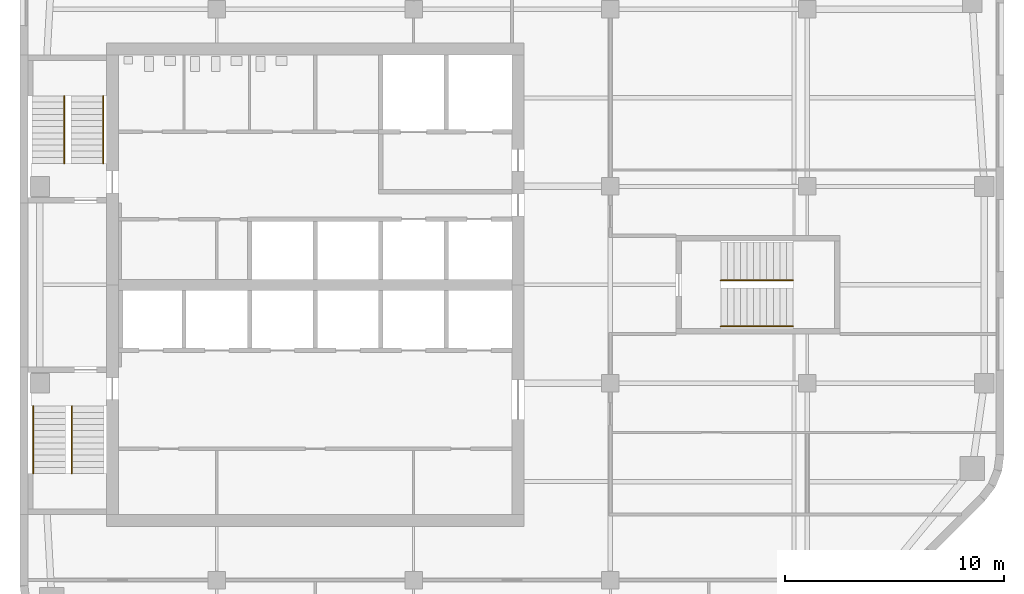
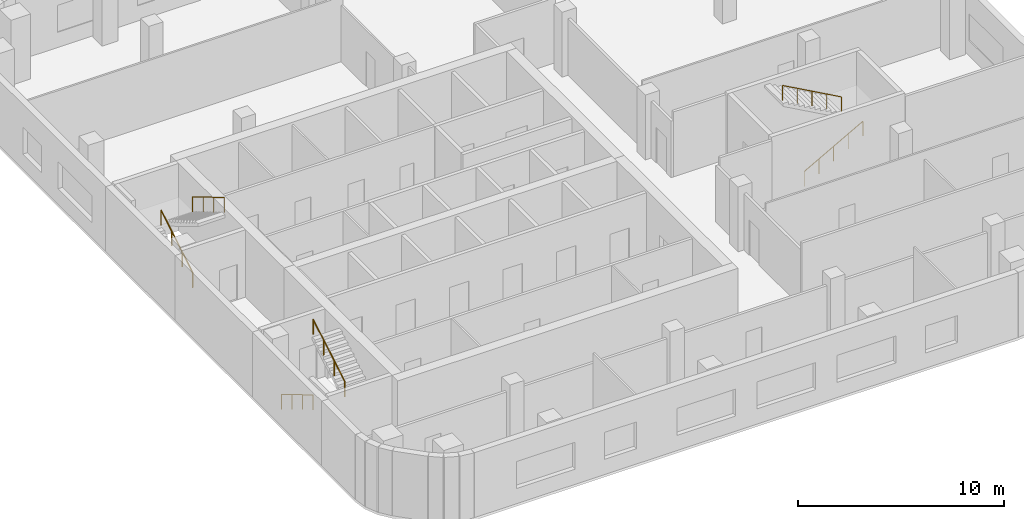
# One storey, part 6 of 7: 6 railings, 3 elements without a shape of their own.
"""IFC4 building model written with IfcOpenShell, lengths in metres."""

from ifc_helpers import new_model, si_unit, direction, frame, origin, origin_2d, place, context, subcontext, project, spatial, circle, extrude, material, type_object, element, aggregate, save


model = new_model("IFC4")

# Units and contexts
model_context = context("Model", 3, precision=1e-05, world=origin(), true_north=direction((0.0, 1.0)))
body_context = subcontext(model_context, "Body", "Model", "MODEL_VIEW")
ifc_project = project(units=[si_unit("LENGTHUNIT", "METRE"), si_unit("AREAUNIT", "SQUARE_METRE"), si_unit("VOLUMEUNIT", "CUBIC_METRE"), si_unit("PLANEANGLEUNIT", "RADIAN"), si_unit("MASSUNIT", "GRAM", prefix="KILO")], contexts=[model_context])

# Site, building, storey
site_placement = place(None, origin())
site = spatial("IfcSite", under=ifc_project, at=site_placement, CompositionType="ELEMENT")
building_placement = place(site_placement, origin())
building = spatial("IfcBuilding", under=site, at=building_placement, Name="Cinnabar Reach Civic Tower", CompositionType="ELEMENT")
storey_placement = place(building_placement, frame((0.0, 0.0, 214.0)))
storey = spatial("IfcBuildingStorey", under=building, at=storey_placement, Name="L51", CompositionType="ELEMENT", Elevation=214.0)

# Stair, railings
ifc_material_1 = material(Name="Concrete C40/50", Category="concrete")
stair_type = type_object("IfcStairType", Name="T1 Exit stair, half-turn", PredefinedType="HALF_TURN_STAIR", material=ifc_material_1)
stair_1_placement = place(storey_placement, origin())
stair_1 = element("IfcStair", 1, at=stair_1_placement, inside=storey, type_object=stair_type, Name="Stair T1-S1", PredefinedType="HALF_TURN_STAIR")
ifc_material_2 = material(Name="Stainless steel tube", Category="steel")
railing_type = type_object("IfcRailingType", Name="T1 Stair handrail, stainless tube 48", PredefinedType="HANDRAIL", material=ifc_material_2)
railing_1_placement = place(storey_placement, frame((0.6, 25.95, 0.1667)))
railing_1 = element("IfcRailing", 2, at=railing_1_placement, type_object=railing_type, Name="T1-S1 handrail 1", PredefinedType="HANDRAIL", context=body_context, shape_type="SweptSolid", body=[
    extrude(circle(Radius=0.024, at=origin_2d()), frame((0.0, 0.0, 0.876), z_axis=(0.0, -0.859296971757, 0.511476992962), x_axis=(1.0, 0.0, 0.0)), (0.0, 0.0, 1.0), 3.5843),
    extrude(circle(Radius=0.021, at=origin_2d()), origin(), (0.0, 0.0, 1.0), 0.852),
    extrude(circle(Radius=0.021, at=origin_2d()), frame((0.0, -1.0267, 0.6111)), (0.0, 0.0, 1.0), 0.852),
    extrude(circle(Radius=0.021, at=origin_2d()), frame((0.0, -2.0533, 1.2222)), (0.0, 0.0, 1.0), 0.852),
    extrude(circle(Radius=0.021, at=origin_2d()), frame((0.0, -3.08, 1.8333)), (0.0, 0.0, 1.0), 0.852),
])
railing_2_placement = place(storey_placement, frame((2.375, 22.87, 2.1667)))
railing_2 = element("IfcRailing", 3, at=railing_2_placement, type_object=railing_type, Name="T1-S1 handrail 2", PredefinedType="HANDRAIL", context=body_context, shape_type="SweptSolid", body=[
    extrude(circle(Radius=0.024, at=origin_2d()), frame((0.0, 0.0, 0.876), z_axis=(0.0, 0.859296971757, 0.511476992962), x_axis=(-1.0, 0.0, 0.0)), (0.0, 0.0, 1.0), 3.5843),
    extrude(circle(Radius=0.021, at=origin_2d()), origin(), (0.0, 0.0, 1.0), 0.852),
    extrude(circle(Radius=0.021, at=origin_2d()), frame((0.0, 1.0267, 0.6111)), (0.0, 0.0, 1.0), 0.852),
    extrude(circle(Radius=0.021, at=origin_2d()), frame((0.0, 2.0533, 1.2222)), (0.0, 0.0, 1.0), 0.852),
    extrude(circle(Radius=0.021, at=origin_2d()), frame((0.0, 3.08, 1.8333)), (0.0, 0.0, 1.0), 0.852),
])
aggregate(stair_1, [railing_1, railing_2])

stair_2_placement = place(storey_placement, origin())
stair_2 = element("IfcStair", 4, at=stair_2_placement, inside=storey, type_object=stair_type, Name="Stair T1-S2", PredefinedType="HALF_TURN_STAIR")
railing_3_placement = place(storey_placement, frame((2.025, 37.05, 0.1667)))
railing_3 = element("IfcRailing", 5, at=railing_3_placement, type_object=railing_type, Name="T1-S2 handrail 1", PredefinedType="HANDRAIL", context=body_context, shape_type="SweptSolid", body=[
    extrude(circle(Radius=0.024, at=origin_2d()), frame((0.0, 0.0, 0.876), z_axis=(0.0, 0.859296971757, 0.511476992962), x_axis=(-1.0, 0.0, 0.0)), (0.0, 0.0, 1.0), 3.5843),
    extrude(circle(Radius=0.021, at=origin_2d()), origin(), (0.0, 0.0, 1.0), 0.852),
    extrude(circle(Radius=0.021, at=origin_2d()), frame((0.0, 1.0267, 0.6111)), (0.0, 0.0, 1.0), 0.852),
    extrude(circle(Radius=0.021, at=origin_2d()), frame((0.0, 2.0533, 1.2222)), (0.0, 0.0, 1.0), 0.852),
    extrude(circle(Radius=0.021, at=origin_2d()), frame((0.0, 3.08, 1.8333)), (0.0, 0.0, 1.0), 0.852),
])
railing_4_placement = place(storey_placement, frame((3.8, 40.13, 2.1667)))
railing_4 = element("IfcRailing", 6, at=railing_4_placement, type_object=railing_type, Name="T1-S2 handrail 2", PredefinedType="HANDRAIL", context=body_context, shape_type="SweptSolid", body=[
    extrude(circle(Radius=0.024, at=origin_2d()), frame((0.0, 0.0, 0.876), z_axis=(0.0, -0.859296971757, 0.511476992962), x_axis=(1.0, 0.0, 0.0)), (0.0, 0.0, 1.0), 3.5843),
    extrude(circle(Radius=0.021, at=origin_2d()), origin(), (0.0, 0.0, 1.0), 0.852),
    extrude(circle(Radius=0.021, at=origin_2d()), frame((0.0, -1.0267, 0.6111)), (0.0, 0.0, 1.0), 0.852),
    extrude(circle(Radius=0.021, at=origin_2d()), frame((0.0, -2.0533, 1.2222)), (0.0, 0.0, 1.0), 0.852),
    extrude(circle(Radius=0.021, at=origin_2d()), frame((0.0, -3.08, 1.8333)), (0.0, 0.0, 1.0), 0.852),
])
aggregate(stair_2, [railing_3, railing_4])

stair_3_placement = place(storey_placement, origin())
stair_3 = element("IfcStair", 7, at=stair_3_placement, inside=storey, type_object=stair_type, Name="Stair T1-S3", PredefinedType="HALF_TURN_STAIR")
railing_5_placement = place(storey_placement, frame((32.05, 29.6, 0.1667)))
railing_5 = element("IfcRailing", 8, at=railing_5_placement, type_object=railing_type, Name="T1-S3 handrail 1", PredefinedType="HANDRAIL", context=body_context, shape_type="SweptSolid", body=[
    extrude(circle(Radius=0.024, at=origin_2d()), frame((0.0, 0.0, 0.876), z_axis=(0.874161024642, 0.0, 0.485636183781), x_axis=(0.0, 1.0, 0.0)), (0.0, 0.0, 1.0), 3.775),
    extrude(circle(Radius=0.021, at=origin_2d()), origin(), (0.0, 0.0, 1.0), 0.852),
    extrude(circle(Radius=0.021, at=origin_2d()), frame((0.825, 0.0, 0.4583)), (0.0, 0.0, 1.0), 0.852),
    extrude(circle(Radius=0.021, at=origin_2d()), frame((1.65, 0.0, 0.9167)), (0.0, 0.0, 1.0), 0.852),
    extrude(circle(Radius=0.021, at=origin_2d()), frame((2.475, 0.0, 1.375)), (0.0, 0.0, 1.0), 0.852),
    extrude(circle(Radius=0.021, at=origin_2d()), frame((3.3, 0.0, 1.8333)), (0.0, 0.0, 1.0), 0.852),
])
railing_6_placement = place(storey_placement, frame((35.35, 31.7, 2.1667)))
railing_6 = element("IfcRailing", 9, at=railing_6_placement, type_object=railing_type, Name="T1-S3 handrail 2", PredefinedType="HANDRAIL", context=body_context, shape_type="SweptSolid", body=[
    extrude(circle(Radius=0.024, at=origin_2d()), frame((0.0, 0.0, 0.876), z_axis=(-0.874161024642, 0.0, 0.485636183781), x_axis=(0.0, -1.0, 0.0)), (0.0, 0.0, 1.0), 3.775),
    extrude(circle(Radius=0.021, at=origin_2d()), origin(), (0.0, 0.0, 1.0), 0.852),
    extrude(circle(Radius=0.021, at=origin_2d()), frame((-0.825, 0.0, 0.4583)), (0.0, 0.0, 1.0), 0.852),
    extrude(circle(Radius=0.021, at=origin_2d()), frame((-1.65, 0.0, 0.9167)), (0.0, 0.0, 1.0), 0.852),
    extrude(circle(Radius=0.021, at=origin_2d()), frame((-2.475, 0.0, 1.375)), (0.0, 0.0, 1.0), 0.852),
    extrude(circle(Radius=0.021, at=origin_2d()), frame((-3.3, 0.0, 1.8333)), (0.0, 0.0, 1.0), 0.852),
])
aggregate(stair_3, [railing_5, railing_6])

save(model, "model.ifc")
